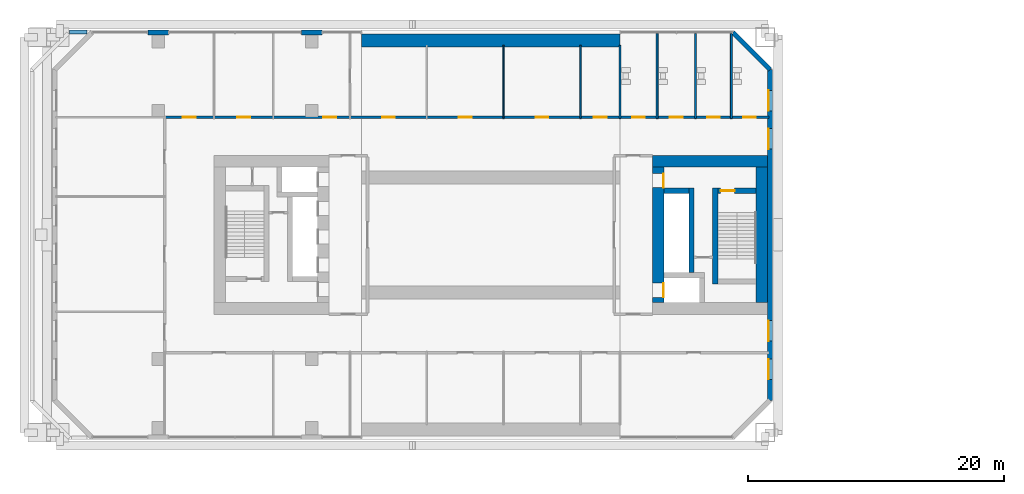
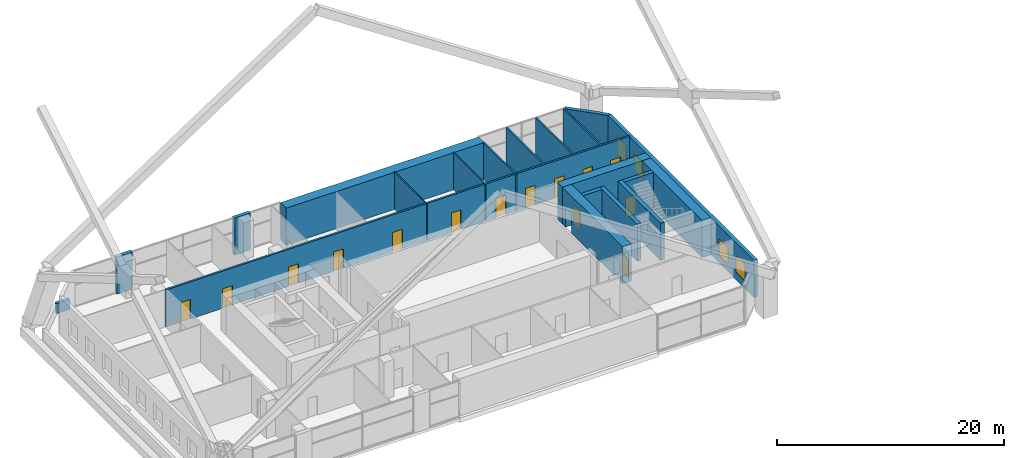
# One storey, part 19 of 25: 20 walls, 14 doors, 4 windows, 18 openings.
"""IFC4 building model written with IfcOpenShell, lengths in metres."""

import ifcopenshell
import ifcopenshell.guid

model = None  # the IFC model being written
_history = None  # IfcOwnerHistory: only IFC2X3 demands one
_inside = {}  # id of a spatial element -> (the spatial element, [elements in it])
_under = {}  # id of a project, library or spatial element -> (it, [spatial elements below it])
_declared = {}  # id of a project -> (the project, [libraries it declares])
_typed = {}  # id of a type object -> (the type object, [elements of that type])
_made_of = {}  # id of a material, layer set ... -> (it, [elements and type objects made of it])


def new_model(schema):
    """Start an empty IFC model of exactly this schema.

    Asked for "IFC4X3", IfcOpenShell would pick the latest addendum, in which some entities
    have other attributes; the version numbers below select the first issue.
    IFC2X3 requires an IfcOwnerHistory on every rooted entity: one is made here for all.
    """
    global model, _history
    if schema == "IFC4X3":
        model = ifcopenshell.file(schema_version=(4, 3, 0, 0))
    else:
        model = ifcopenshell.file(schema=schema)
    _inside.clear()
    _under.clear()
    _declared.clear()
    _typed.clear()
    _made_of.clear()
    _history = None
    if model.schema == "IFC2X3":
        org = make("IfcOrganization", Name="unknown")
        user = make(
            "IfcPersonAndOrganization",
            ThePerson=make("IfcPerson", FamilyName="unknown"),
            TheOrganization=org,
        )
        app = make(
            "IfcApplication",
            ApplicationDeveloper=org,
            Version="unknown",
            ApplicationFullName="unknown",
            ApplicationIdentifier="unknown",
        )
        _history = make(
            "IfcOwnerHistory",
            OwningUser=user,
            OwningApplication=app,
            ChangeAction="ADDED",
            CreationDate=0,
        )
    return model


def make(cls, **values):
    """One entity of the class cls with the attributes given. An attribute that is None is left unset."""
    return model.create_entity(
        cls, **{name: value for name, value in values.items() if value is not None}
    )


def rooted(cls, **values):
    """An entity with a GlobalId (a new one), such as an element, a storey or a relation."""
    return make(cls, GlobalId=ifcopenshell.guid.new(), OwnerHistory=_history, **values)


def si_unit(unit_type, name, prefix=None):
    """IfcSIUnit, for example si_unit("LENGTHUNIT", "METRE", prefix="MILLI")."""
    return make("IfcSIUnit", UnitType=unit_type, Prefix=prefix, Name=name)


def assignment(units):
    """IfcUnitAssignment: the units of a project."""
    return None if units is None else make("IfcUnitAssignment", Units=units)


def point(xyz):
    """IfcCartesianPoint."""
    return None if xyz is None else make("IfcCartesianPoint", Coordinates=xyz)


def direction(xyz):
    """IfcDirection."""
    return None if xyz is None else make("IfcDirection", DirectionRatios=xyz)


def frame(location, z_axis=None, x_axis=None):
    """IfcAxis2Placement3D, a coordinate frame: its origin and axes. An axis left out is left unset."""
    return make(
        "IfcAxis2Placement3D",
        Location=point(location),
        Axis=direction(z_axis),
        RefDirection=direction(x_axis),
    )


def frame_2d(location, x_axis=None):
    """IfcAxis2Placement2D, a coordinate frame in the plane: its origin and x axis."""
    return make(
        "IfcAxis2Placement2D", Location=point(location), RefDirection=direction(x_axis)
    )


def origin():
    """The frame at (0, 0, 0) with its axes left unset."""
    return frame((0.0, 0.0, 0.0))


def place(relative_to, where):
    """IfcLocalPlacement: puts the frame where relative to a parent placement (None: the world)."""
    return make(
        "IfcLocalPlacement", PlacementRelTo=relative_to, RelativePlacement=where
    )


def context(
    kind, dimensions, precision=None, world=None, true_north=None, identifier=None
):
    """IfcGeometricRepresentationContext, for example the 3D "Model" context."""
    return make(
        "IfcGeometricRepresentationContext",
        ContextIdentifier=identifier,
        ContextType=kind,
        CoordinateSpaceDimension=dimensions,
        Precision=precision,
        WorldCoordinateSystem=world,
        TrueNorth=true_north,
    )


def subcontext(parent, identifier, kind, view, scale=None):
    """IfcGeometricRepresentationSubContext, for example "Body" below "Model"."""
    return make(
        "IfcGeometricRepresentationSubContext",
        ContextIdentifier=identifier,
        ContextType=kind,
        ParentContext=parent,
        TargetScale=scale,
        TargetView=view,
    )


def project(units=None, contexts=None):
    """IfcProject with its units and contexts."""
    return rooted(
        "IfcProject",
        Name="project",
        RepresentationContexts=contexts,
        UnitsInContext=assignment(units),
    )


def spatial(cls, under=None, at=None, **own):
    """A site, building, storey or space (cls), placed at a placement, below another one or the project."""
    s = rooted(cls, ObjectPlacement=at, **own)
    if under is not None:
        _under.setdefault(under.id(), (under, []))[1].append(s)
    return s


def profile(cls, at=None, kind="AREA", **sizes):
    """A parametric profile (cls). Its sizes go by their IFC names, for example OverallWidth=200.0."""
    return make(cls, ProfileType=kind, Position=at, **sizes)


def rectangle(**sizes):
    """IfcRectangleProfileDef."""
    return profile("IfcRectangleProfileDef", **sizes)


def extrude(swept, where, along, depth):
    """IfcExtrudedAreaSolid: the profile swept, set in the frame where, extruded along a direction by depth."""
    return make(
        "IfcExtrudedAreaSolid",
        SweptArea=swept,
        Position=where,
        ExtrudedDirection=direction(along),
        Depth=depth,
    )


def shape(context_of_items, identifier, shape_type, items):
    """IfcShapeRepresentation: the items that make up one representation, for example the "Body"."""
    return make(
        "IfcShapeRepresentation",
        ContextOfItems=context_of_items,
        RepresentationIdentifier=identifier,
        RepresentationType=shape_type,
        Items=items,
    )


def material(Name=None, Category=None):
    """IfcMaterial."""
    return make("IfcMaterial", Name=Name, Category=Category)


def layer(
    of_material, thickness, ventilated=None, Name=None, Category=None, Priority=None
):
    """IfcMaterialLayer: one layer of a wall or slab, of a material (None: an air gap)."""
    return make(
        "IfcMaterialLayer",
        Material=of_material,
        LayerThickness=thickness,
        IsVentilated=ventilated,
        Name=Name,
        Category=Category,
        Priority=Priority,
    )


def layer_set(layers, Name=None):
    """IfcMaterialLayerSet."""
    return make("IfcMaterialLayerSet", MaterialLayers=layers, LayerSetName=Name)


def made_of(thing, what):
    """Note that an element or type object is made of a material, layer set ...; save() writes the relation."""
    if what is not None:
        _made_of.setdefault(what.id(), (what, []))[1].append(thing)
    return thing


def type_object(cls, material=None, **own):
    """A type object (cls), such as IfcWallType, which elements share."""
    return made_of(rooted(cls, **own), material)


def element(
    cls,
    number,
    at=None,
    inside=None,
    cuts=None,
    type_object=None,
    material=None,
    context=None,
    identifier="Body",
    shape_type=None,
    held_by="IfcProductDefinitionShape",
    body=None,
    shapes=None,
    **own,
):
    """One element of the class cls, such as IfcWall. Its Tag is "e" and its number.

    at: its placement. inside: the storey or other place that contains it. cuts: it is an
    opening in that element (IfcRelVoidsElement). A single representation is given by context,
    identifier, shape_type and body (its items); several are given by shapes. held_by: the class
    of the entity that holds the representations. save() writes the other relations.
    """
    e = rooted(cls, Tag="e%d" % number, ObjectPlacement=at, **own)
    if body is not None:
        shapes = [shape(context, identifier, shape_type, body)]
    if shapes is not None:
        e.Representation = make(held_by, Representations=shapes)
    if inside is not None:
        _inside.setdefault(inside.id(), (inside, []))[1].append(e)
    if cuts is not None:
        rooted(
            "IfcRelVoidsElement", RelatingBuildingElement=cuts, RelatedOpeningElement=e
        )
    if type_object is not None:
        _typed.setdefault(type_object.id(), (type_object, []))[1].append(e)
    return made_of(e, material)


def fill(opening, filler):
    """IfcRelFillsElement: the door or window that sits in an opening."""
    return rooted(
        "IfcRelFillsElement",
        RelatingOpeningElement=opening,
        RelatedBuildingElement=filler,
    )


def aggregate(whole, parts):
    """IfcRelAggregates: a whole, such as a stair, and the parts it consists of."""
    return rooted("IfcRelAggregates", RelatingObject=whole, RelatedObjects=parts)


def save(model, path):
    """Write the relations noted so far, then the file.

    IfcRelAggregates (storeys below a building ...), IfcRelContainedInSpatialStructure (elements
    in a storey), IfcRelDefinesByType, IfcRelAssociatesMaterial and IfcRelDeclares: one each for
    every whole, place, type object, material and project.
    """
    for whole, parts in _under.values():
        aggregate(whole, parts)
    for where, things in _inside.values():
        rooted(
            "IfcRelContainedInSpatialStructure",
            RelatedElements=things,
            RelatingStructure=where,
        )
    for kind, things in _typed.values():
        rooted("IfcRelDefinesByType", RelatedObjects=things, RelatingType=kind)
    for what, things in _made_of.values():
        rooted("IfcRelAssociatesMaterial", RelatedObjects=things, RelatingMaterial=what)
    for by, libraries in _declared.values():
        rooted("IfcRelDeclares", RelatingContext=by, RelatedDefinitions=libraries)
    model.write(path)


model = new_model("IFC4")

# Units and contexts
model_context = context("Model", 3, precision=1e-05, world=origin(), true_north=direction((0.0, 1.0)))
body_context = subcontext(model_context, "Body", "Model", "MODEL_VIEW")
ifc_project = project(units=[si_unit("LENGTHUNIT", "METRE"), si_unit("AREAUNIT", "SQUARE_METRE"), si_unit("VOLUMEUNIT", "CUBIC_METRE"), si_unit("PLANEANGLEUNIT", "RADIAN"), si_unit("MASSUNIT", "GRAM", prefix="KILO")], contexts=[model_context])

# Site, building, storey
site_placement = place(None, origin())
site = spatial("IfcSite", under=ifc_project, at=site_placement, CompositionType="ELEMENT")
building_placement = place(site_placement, origin())
building = spatial("IfcBuilding", under=site, at=building_placement, Name="Tuart Gate Housing", CompositionType="ELEMENT")
storey_placement = place(building_placement, frame((0.0, 0.0, 14.699951171875)))
storey = spatial("IfcBuildingStorey", under=building, at=storey_placement, Name="L03", CompositionType="ELEMENT", Elevation=14.699951171875)

# Walls
ifc_material_1 = material(Name="Gypsum board on steel studs", Category="steel")
ifc_layer_1 = layer(ifc_material_1, 0.14990234375)
ifc_layer_set_1 = layer_set([ifc_layer_1], Name="Bathroom wall 150")
wall_type_1 = type_object("IfcWallType", Name="Bathroom wall 150", PredefinedType="PLUMBINGWALL", material=ifc_layer_set_1)
wall_1_placement = place(storey_placement, frame((64.10009765625, 79.10009765625, 0.0), z_axis=(0.0, 0.0, 1.0), x_axis=(0.0, 1.0, 0.0)))
element("IfcWall", 1, at=wall_1_placement, inside=storey, type_object=wall_type_1, Name="Bathroom wall 150", PredefinedType="PLUMBINGWALL", context=body_context, shape_type="SweptSolid", body=[
    extrude(rectangle(XDim=5.719970703125, YDim=0.14990234375, at=frame_2d((2.85986328125, 0.0))), origin(), (0.0, 0.0, 1.0), 4.0),
])
for number, where, z_axis, x_axis, name in (
    (2, (67.0, 79.10009765625, 0.0), (0.0, 0.0, 1.0), (0.0, 1.0, 0.0), "Bathroom wall 150"),
    (3, (70.0, 79.10009765625, 0.0), (0.0, 0.0, 1.0), (0.0, 1.0, 0.0), "Bathroom wall 150"),
    (4, (72.800048828125, 79.10009765625, 0.0), (0.0, 0.0, 1.0), (0.0, 1.0, 0.0), "Bathroom wall 150"),
):
    element("IfcWall", number, at=place(storey_placement, frame(where, z_axis=z_axis, x_axis=x_axis)), inside=storey, type_object=wall_type_1, Name=name, PredefinedType="PLUMBINGWALL", context=body_context, shape_type="SweptSolid", body=[
        extrude(rectangle(XDim=6.659912109375, YDim=0.14990234375, at=frame_2d((3.330078125, 0.0))), origin(), (0.0, 0.0, 1.0), 4.0),
    ])
ifc_material_2 = material(Name="Brick", Category="masonry")
ifc_layer_2 = layer(ifc_material_2, 0.300048828125)
ifc_layer_set_2 = layer_set([ifc_layer_2], Name="Brick parapet wall 300")
wall_type_2 = type_object("IfcWallType", Name="Brick parapet wall 300", PredefinedType="PARAPET", material=ifc_layer_set_2)
wall_2_placement = place(storey_placement, frame((22.449951171875, 85.85009765625, 0.0), z_axis=(0.0, 0.0, 1.0), x_axis=(-1.0, 0.0, 0.0)))
element("IfcWall", 5, at=wall_2_placement, inside=storey, type_object=wall_type_2, Name="Roof parapet A 1", PredefinedType="PARAPET", context=body_context, shape_type="SweptSolid", body=[
    extrude(rectangle(XDim=1.387939453125, YDim=0.300048828125, at=frame_2d((0.69384765625, 0.0))), origin(), (0.0, 0.0, 1.0), 1.10009765625),
])

# Wall, openings, windows
ifc_material_3 = material(Name="Brick", Category="masonry")
ifc_layer_3 = layer(ifc_material_3, 0.360107421875)
ifc_layer_set_3 = layer_set([ifc_layer_3], Name="Brick pier and spandrel wall 360")
wall_type_3 = type_object("IfcWallType", Name="Brick pier and spandrel wall 360", PredefinedType="STANDARD", material=ifc_layer_set_3)
wall_3_placement = place(storey_placement, frame((75.820068359375, 57.07470703125, 0.0), z_axis=(0.0, 0.0, 1.0), x_axis=(0.0, 1.0, 0.0)))
wall_3 = element("IfcWall", 6, at=wall_3_placement, inside=storey, type_object=wall_type_3, Name="External wall A-E L03", PredefinedType="STANDARD", context=body_context, shape_type="SweptSolid", body=[
    extrude(rectangle(XDim=25.850830078125, YDim=0.360107421875, at=frame_2d((12.92529296875, 0.0))), origin(), (0.0, 0.0, 1.0), 4.0),
])
opening_1_placement = place(wall_3_placement, frame((1.62548828125, 0.0, 0.800048828125)))
opening_1 = element("IfcOpeningElement", 7, at=opening_1_placement, cuts=wall_3, Name="Opening W1", PredefinedType="OPENING", context=body_context, shape_type="SweptSolid", body=[
    extrude(rectangle(XDim=1.60009765625, YDim=1.800048828125, at=frame_2d((0.800048828125, 0.89990234375))), frame((0.0, 0.18994140625, 0.0), z_axis=(0.0, -1.0, 0.0), x_axis=(1.0, 0.0, 0.0)), (0.0, 0.0, 1.0), 0.380126953125),
])
opening_2_placement = place(wall_3_placement, frame((4.62548828125, 0.0, 0.800048828125)))
opening_2 = element("IfcOpeningElement", 8, at=opening_2_placement, cuts=wall_3, Name="Opening W1", PredefinedType="OPENING", context=body_context, shape_type="SweptSolid", body=[
    extrude(rectangle(XDim=1.60009765625, YDim=1.800048828125, at=frame_2d((0.800048828125, 0.89990234375))), frame((0.0, 0.18994140625, 0.0), z_axis=(0.0, -1.0, 0.0), x_axis=(1.0, 0.0, 0.0)), (0.0, 0.0, 1.0), 0.380126953125),
])
opening_3_placement = place(wall_3_placement, frame((19.62548828125, 0.0, 0.800048828125)))
opening_3 = element("IfcOpeningElement", 9, at=opening_3_placement, cuts=wall_3, Name="Opening W1", PredefinedType="OPENING", context=body_context, shape_type="SweptSolid", body=[
    extrude(rectangle(XDim=1.60009765625, YDim=1.800048828125, at=frame_2d((0.800048828125, 0.89990234375))), frame((0.0, 0.18994140625, 0.0), z_axis=(0.0, -1.0, 0.0), x_axis=(1.0, 0.0, 0.0)), (0.0, 0.0, 1.0), 0.380126953125),
])
opening_4_placement = place(wall_3_placement, frame((22.62548828125, 0.0, 0.800048828125)))
opening_4 = element("IfcOpeningElement", 10, at=opening_4_placement, cuts=wall_3, Name="Opening W1", PredefinedType="OPENING", context=body_context, shape_type="SweptSolid", body=[
    extrude(rectangle(XDim=1.60009765625, YDim=1.800048828125, at=frame_2d((0.800048828125, 0.89990234375))), frame((0.0, 0.18994140625, 0.0), z_axis=(0.0, -1.0, 0.0), x_axis=(1.0, 0.0, 0.0)), (0.0, 0.0, 1.0), 0.380126953125),
])
ifc_material_4 = material(Name="Aluminium frame with clear glass", Category="aluminium")
window_type = type_object("IfcWindowType", Name="Punched window 1600 x 1800", PartitioningType="SINGLE_PANEL", PredefinedType="WINDOW", material=ifc_material_4)
window_1_placement = place(opening_1_placement, origin())
window_1 = element("IfcWindow", 11, at=window_1_placement, inside=storey, type_object=window_type, Name="Window W1", OverallHeight=1.800048828125, OverallWidth=1.60009765625, PartitioningType="SINGLE_PANEL", PredefinedType="WINDOW", context=body_context, shape_type="SweptSolid", body=[
    extrude(rectangle(XDim=1.60009765625, YDim=1.800048828125, at=frame_2d((0.800048828125, 0.89990234375))), frame((0.0, 0.150146484375, 0.0), z_axis=(0.0, -1.0, 0.0), x_axis=(1.0, 0.0, 0.0)), (0.0, 0.0, 1.0), 0.06005859375),
])
fill(opening_1, window_1)
window_2_placement = place(opening_2_placement, origin())
window_2 = element("IfcWindow", 12, at=window_2_placement, inside=storey, type_object=window_type, Name="Window W1", OverallHeight=1.800048828125, OverallWidth=1.60009765625, PartitioningType="SINGLE_PANEL", PredefinedType="WINDOW", context=body_context, shape_type="SweptSolid", body=[
    extrude(rectangle(XDim=1.60009765625, YDim=1.800048828125, at=frame_2d((0.800048828125, 0.89990234375))), frame((0.0, 0.150146484375, 0.0), z_axis=(0.0, -1.0, 0.0), x_axis=(1.0, 0.0, 0.0)), (0.0, 0.0, 1.0), 0.06005859375),
])
fill(opening_2, window_2)
window_3_placement = place(opening_3_placement, origin())
window_3 = element("IfcWindow", 13, at=window_3_placement, inside=storey, type_object=window_type, Name="Window W1", OverallHeight=1.800048828125, OverallWidth=1.60009765625, PartitioningType="SINGLE_PANEL", PredefinedType="WINDOW", context=body_context, shape_type="SweptSolid", body=[
    extrude(rectangle(XDim=1.60009765625, YDim=1.800048828125, at=frame_2d((0.800048828125, 0.89990234375))), frame((0.0, 0.150146484375, 0.0), z_axis=(0.0, -1.0, 0.0), x_axis=(1.0, 0.0, 0.0)), (0.0, 0.0, 1.0), 0.06005859375),
])
fill(opening_3, window_3)
window_4_placement = place(opening_4_placement, origin())
window_4 = element("IfcWindow", 14, at=window_4_placement, inside=storey, type_object=window_type, Name="Window W1", OverallHeight=1.800048828125, OverallWidth=1.60009765625, PartitioningType="SINGLE_PANEL", PredefinedType="WINDOW", context=body_context, shape_type="SweptSolid", body=[
    extrude(rectangle(XDim=1.60009765625, YDim=1.800048828125, at=frame_2d((0.800048828125, 0.89990234375))), frame((0.0, 0.150146484375, 0.0), z_axis=(0.0, -1.0, 0.0), x_axis=(1.0, 0.0, 0.0)), (0.0, 0.0, 1.0), 0.06005859375),
])
fill(opening_4, window_4)

# Walls
wall_4_placement = place(storey_placement, frame((75.820068359375, 82.92529296875, 0.0), z_axis=(0.0, 0.0, 1.0), x_axis=(-0.707106781187, 0.707106781187, 0.0)))
element("IfcWall", 15, at=wall_4_placement, inside=storey, type_object=wall_type_3, Name="External wall A-NE L03", PredefinedType="STANDARD", context=body_context, shape_type="SweptSolid", body=[
    extrude(rectangle(XDim=4.09375, YDim=0.360107421875, at=frame_2d((2.046875, 0.0))), origin(), (0.0, 0.0, 1.0), 4.0),
])
for number, where, z_axis, x_axis, name in (
    (16, (40.800048828125, 85.820068359375, 0.0), (0.0, 0.0, 1.0), (-1.0, 0.0, 0.0), "External wall A-N L03"),
    (17, (28.800048828125, 85.820068359375, 0.0), (0.0, 0.0, 1.0), (-1.0, 0.0, 0.0), "External wall A-N L03"),
):
    element("IfcWall", number, at=place(storey_placement, frame(where, z_axis=z_axis, x_axis=x_axis)), inside=storey, type_object=wall_type_3, Name=name, PredefinedType="STANDARD", context=body_context, shape_type="SweptSolid", body=[
        extrude(rectangle(XDim=1.60009765625, YDim=0.360107421875, at=frame_2d((0.800048828125, 0.0))), origin(), (0.0, 0.0, 1.0), 4.0),
    ])
ifc_material_5 = material(Name="Concrete C60", Category="concrete")
ifc_layer_4 = layer(ifc_material_5, 0.39990234375)
ifc_layer_set_4 = layer_set([ifc_layer_4], Name="Core wall 400 C60")
wall_type_4 = type_object("IfcWallType", Name="Core wall 400 C60", PredefinedType="SHEAR", material=ifc_layer_set_4)
wall_5_placement = place(storey_placement, frame((67.5400390625, 73.449951171875, 0.0), z_axis=(0.0, 0.0, 1.0), x_axis=(1.0, 0.0, 0.0)))
element("IfcWall", 18, at=wall_5_placement, inside=storey, type_object=wall_type_4, Name="Core wall AG.4", PredefinedType="SHEAR", context=body_context, shape_type="SweptSolid", body=[
    extrude(rectangle(XDim=1.949951171875, YDim=0.39990234375, at=frame_2d((0.97509765625, 0.0))), origin(), (0.0, 0.0, 1.0), 4.0),
])

# Wall, opening, door
wall_6_placement = place(storey_placement, frame((71.739990234375, 73.449951171875, 0.0), z_axis=(0.0, 0.0, 1.0), x_axis=(1.0, 0.0, 0.0)))
wall_6 = element("IfcWall", 19, at=wall_6_placement, inside=storey, type_object=wall_type_4, Name="Core wall AG.5", PredefinedType="SHEAR", context=body_context, shape_type="SweptSolid", body=[
    extrude(rectangle(XDim=3.0, YDim=0.39990234375, at=frame_2d((1.5, 0.0))), origin(), (0.0, 0.0, 1.0), 4.0),
])
opening_5_placement = place(wall_6_placement, frame((0.219970703125, 0.0, 0.0)))
opening_5 = element("IfcOpeningElement", 20, at=opening_5_placement, cuts=wall_6, Name="Opening D016", PredefinedType="OPENING", context=body_context, shape_type="SweptSolid", body=[
    extrude(rectangle(XDim=1.10009765625, YDim=2.10009765625, at=frame_2d((0.550048828125, 1.050048828125))), frame((0.0, 0.2099609375, 0.0), z_axis=(0.0, -1.0, 0.0), x_axis=(1.0, 0.0, 0.0)), (0.0, 0.0, 1.0), 0.419921875),
])
ifc_material_6 = material(Name="Steel fire door", Category="steel")
door_type_1 = type_object("IfcDoorType", Name="Stair door 1100 x 2100 RH", OperationType="SINGLE_SWING_RIGHT", PredefinedType="DOOR", material=ifc_material_6)
door_1_placement = place(opening_5_placement, frame((1.10009765625, 0.0, 0.0), z_axis=(0.0, 0.0, 1.0), x_axis=(-1.0, 0.0, 0.0)))
door_1 = element("IfcDoor", 21, at=door_1_placement, inside=storey, type_object=door_type_1, Name="Stair door AG.SD", OperationType="SINGLE_SWING_RIGHT", OverallHeight=2.10009765625, OverallWidth=1.10009765625, PredefinedType="DOOR", context=body_context, shape_type="SweptSolid", body=[
    extrude(rectangle(XDim=1.10009765625, YDim=2.10009765625, at=frame_2d((0.550048828125, 1.050048828125))), frame((0.0, 0.025146484375, 0.0), z_axis=(0.0, -1.0, 0.0), x_axis=(1.0, 0.0, 0.0)), (0.0, 0.0, 1.0), 0.050048828125),
])
fill(opening_5, door_1)

# Walls
wall_7_placement = place(storey_placement, frame((69.68994140625, 67.050048828125, 0.0), z_axis=(0.0, 0.0, 1.0), x_axis=(0.0, 1.0, 0.0)))
element("IfcWall", 22, at=wall_7_placement, inside=storey, type_object=wall_type_4, Name="Core wall AG.6", PredefinedType="SHEAR", context=body_context, shape_type="SweptSolid", body=[
    extrude(rectangle(XDim=6.599853515625, YDim=0.39990234375, at=frame_2d((3.2998046875, 0.0))), origin(), (0.0, 0.0, 1.0), 4.0),
])
wall_8_placement = place(storey_placement, frame((71.5400390625, 66.14990234375, 0.0), z_axis=(0.0, 0.0, 1.0), x_axis=(0.0, 1.0, 0.0)))
element("IfcWall", 23, at=wall_8_placement, inside=storey, type_object=wall_type_4, Name="Core wall AG.8", PredefinedType="SHEAR", context=body_context, shape_type="SweptSolid", body=[
    extrude(rectangle(XDim=7.5, YDim=0.39990234375, at=frame_2d((3.75, 0.0))), origin(), (0.0, 0.0, 1.0), 4.0),
])

# Wall, openings, doors
ifc_material_7 = material(Name="Concrete C60", Category="concrete")
ifc_layer_5 = layer(ifc_material_7, 0.89990234375)
ifc_layer_set_5 = layer_set([ifc_layer_5], Name="Core wall 900 C60")
wall_type_5 = type_object("IfcWallType", Name="Core wall 900 C60", PredefinedType="SHEAR", material=ifc_layer_set_5)
wall_9_placement = place(storey_placement, frame((67.090087890625, 64.699951171875, 0.0), z_axis=(0.0, 0.0, 1.0), x_axis=(0.0, 1.0, 0.0)))
wall_9 = element("IfcWall", 24, at=wall_9_placement, inside=storey, type_object=wall_type_5, Name="Core wall AG front", PredefinedType="SHEAR", context=body_context, shape_type="SweptSolid", body=[
    extrude(rectangle(XDim=10.60009765625, YDim=0.89990234375, at=frame_2d((5.300048828125, 0.0))), origin(), (0.0, 0.0, 1.0), 4.0),
])
opening_6_placement = place(wall_9_placement, frame((0.425048828125, 0.0, 0.0)))
opening_6 = element("IfcOpeningElement", 25, at=opening_6_placement, cuts=wall_9, Name="Opening LD-FA1", PredefinedType="OPENING", context=body_context, shape_type="SweptSolid", body=[
    extrude(rectangle(XDim=1.10009765625, YDim=2.10009765625, at=frame_2d((0.550048828125, 1.050048828125))), frame((0.0, 0.4599609375, 0.0), z_axis=(0.0, -1.0, 0.0), x_axis=(1.0, 0.0, 0.0)), (0.0, 0.0, 1.0), 0.919921875),
])
opening_7_placement = place(wall_9_placement, frame((9.0, 0.0, 0.0)))
opening_7 = element("IfcOpeningElement", 26, at=opening_7_placement, cuts=wall_9, Name="Opening D024", PredefinedType="OPENING", context=body_context, shape_type="SweptSolid", body=[
    extrude(rectangle(XDim=1.10009765625, YDim=2.10009765625, at=frame_2d((0.550048828125, 1.050048828125))), frame((0.0, 0.4599609375, 0.0), z_axis=(0.0, -1.0, 0.0), x_axis=(1.0, 0.0, 0.0)), (0.0, 0.0, 1.0), 0.919921875),
])
ifc_material_8 = material(Name="Stainless steel", Category="steel")
door_type_2 = type_object("IfcDoorType", Name="Landing door 1100 x 2100", OperationType="DOUBLE_DOOR_SLIDING", PredefinedType="DOOR", material=ifc_material_8)
door_2_placement = place(opening_6_placement, origin())
door_2 = element("IfcDoor", 27, at=door_2_placement, inside=storey, type_object=door_type_2, Name="Lift landing door FA1", OperationType="DOUBLE_DOOR_SLIDING", OverallHeight=2.10009765625, OverallWidth=1.10009765625, PredefinedType="DOOR", context=body_context, shape_type="SweptSolid", body=[
    extrude(rectangle(XDim=1.10009765625, YDim=2.10009765625, at=frame_2d((0.550048828125, 1.050048828125))), frame((0.0, -0.384765625, 0.0), z_axis=(0.0, -1.0, 0.0), x_axis=(1.0, 0.0, 0.0)), (0.0, 0.0, 1.0), 0.050048828125),
])
fill(opening_6, door_2)
ifc_material_9 = material(Name="Steel fire door", Category="steel")
door_type_3 = type_object("IfcDoorType", Name="Lobby door 1100 x 2100 RH", OperationType="SINGLE_SWING_RIGHT", PredefinedType="DOOR", material=ifc_material_9)
door_3_placement = place(opening_7_placement, frame((1.10009765625, 0.0, 0.0), z_axis=(0.0, 0.0, 1.0), x_axis=(-1.0, 0.0, 0.0)))
door_3 = element("IfcDoor", 28, at=door_3_placement, inside=storey, type_object=door_type_3, Name="Lobby entry door AG.EN", OperationType="SINGLE_SWING_RIGHT", OverallHeight=2.10009765625, OverallWidth=1.10009765625, PredefinedType="DOOR", context=body_context, shape_type="SweptSolid", body=[
    extrude(rectangle(XDim=1.10009765625, YDim=2.10009765625, at=frame_2d((0.550048828125, 1.050048828125))), frame((0.0, 0.434814453125, 0.0), z_axis=(0.0, -1.0, 0.0), x_axis=(1.0, 0.0, 0.0)), (0.0, 0.0, 1.0), 0.050048828125),
])
fill(opening_7, door_3)

# Walls
wall_10_placement = place(storey_placement, frame((75.18994140625, 64.699951171875, 0.0), z_axis=(0.0, 0.0, 1.0), x_axis=(0.0, 1.0, 0.0)))
element("IfcWall", 29, at=wall_10_placement, inside=storey, type_object=wall_type_5, Name="Core wall AG back", PredefinedType="SHEAR", context=body_context, shape_type="SweptSolid", body=[
    extrude(rectangle(XDim=10.60009765625, YDim=0.89990234375, at=frame_2d((5.300048828125, 0.0))), origin(), (0.0, 0.0, 1.0), 4.0),
])
wall_11_placement = place(storey_placement, frame((66.639892578125, 75.75, 0.0), z_axis=(0.0, 0.0, 1.0), x_axis=(1.0, 0.0, 0.0)))
element("IfcWall", 30, at=wall_11_placement, inside=storey, type_object=wall_type_5, Name="Core wall AG north", PredefinedType="SHEAR", context=body_context, shape_type="SweptSolid", body=[
    extrude(rectangle(XDim=9.0, YDim=0.89990234375, at=frame_2d((4.5, 0.0))), origin(), (0.0, 0.0, 1.0), 4.0),
])

# Wall, openings, doors
ifc_material_10 = material(Name="Concrete masonry 15 MPa", Category="masonry")
ifc_layer_6 = layer(ifc_material_10, 0.199951171875)
ifc_layer_set_6 = layer_set([ifc_layer_6], Name="Corridor wall masonry 200")
wall_type_6 = type_object("IfcWallType", Name="Corridor wall masonry 200", PredefinedType="PARTITIONING", material=ifc_layer_set_6)
wall_12_placement = place(storey_placement, frame((28.39794921875, 79.199951171875, 0.0), z_axis=(0.0, 0.0, 1.0), x_axis=(1.0, 0.0, 0.0)))
wall_12 = element("IfcWall", 31, at=wall_12_placement, inside=storey, type_object=wall_type_6, Name="Corridor wall masonry 200", PredefinedType="PARTITIONING", context=body_context, shape_type="SweptSolid", body=[
    extrude(rectangle(XDim=47.362060546875, YDim=0.199951171875, at=frame_2d((23.68115234375, 0.0))), origin(), (0.0, 0.0, 1.0), 4.0),
])
opening_8_placement = place(wall_12_placement, frame((1.531005859375, 0.0, 0.0)))
opening_8 = element("IfcOpeningElement", 32, at=opening_8_placement, cuts=wall_12, Name="Opening D002", PredefinedType="OPENING", context=body_context, shape_type="SweptSolid", body=[
    extrude(rectangle(XDim=1.0, YDim=2.10009765625, at=frame_2d((0.5, 1.050048828125))), frame((0.0, 0.10986328125, 0.0), z_axis=(0.0, -1.0, 0.0), x_axis=(1.0, 0.0, 0.0)), (0.0, 0.0, 1.0), 0.219970703125),
])
opening_9_placement = place(wall_12_placement, frame((5.781982421875, 0.0, 0.0)))
opening_9 = element("IfcOpeningElement", 33, at=opening_9_placement, cuts=wall_12, Name="Opening D003", PredefinedType="OPENING", context=body_context, shape_type="SweptSolid", body=[
    extrude(rectangle(XDim=1.0, YDim=2.10009765625, at=frame_2d((0.5, 1.050048828125))), frame((0.0, 0.10986328125, 0.0), z_axis=(0.0, -1.0, 0.0), x_axis=(1.0, 0.0, 0.0)), (0.0, 0.0, 1.0), 0.219970703125),
])
opening_10_placement = place(wall_12_placement, frame((12.501953125, 0.0, 0.0)))
opening_10 = element("IfcOpeningElement", 34, at=opening_10_placement, cuts=wall_12, Name="Opening D004", PredefinedType="OPENING", context=body_context, shape_type="SweptSolid", body=[
    extrude(rectangle(XDim=1.0, YDim=2.10009765625, at=frame_2d((0.5, 1.050048828125))), frame((0.0, 0.10986328125, 0.0), z_axis=(0.0, -1.0, 0.0), x_axis=(1.0, 0.0, 0.0)), (0.0, 0.0, 1.0), 0.219970703125),
])
opening_11_placement = place(wall_12_placement, frame((17.10205078125, 0.0, 0.0)))
opening_11 = element("IfcOpeningElement", 35, at=opening_11_placement, cuts=wall_12, Name="Opening D012", PredefinedType="OPENING", context=body_context, shape_type="SweptSolid", body=[
    extrude(rectangle(XDim=1.0, YDim=2.10009765625, at=frame_2d((0.5, 1.050048828125))), frame((0.0, 0.10986328125, 0.0), z_axis=(0.0, -1.0, 0.0), x_axis=(1.0, 0.0, 0.0)), (0.0, 0.0, 1.0), 0.219970703125),
])
opening_12_placement = place(wall_12_placement, frame((23.10205078125, 0.0, 0.0)))
opening_12 = element("IfcOpeningElement", 36, at=opening_12_placement, cuts=wall_12, Name="Opening D005", PredefinedType="OPENING", context=body_context, shape_type="SweptSolid", body=[
    extrude(rectangle(XDim=1.0, YDim=2.10009765625, at=frame_2d((0.5, 1.050048828125))), frame((0.0, 0.10986328125, 0.0), z_axis=(0.0, -1.0, 0.0), x_axis=(1.0, 0.0, 0.0)), (0.0, 0.0, 1.0), 0.219970703125),
])
opening_13_placement = place(wall_12_placement, frame((29.10205078125, 0.0, 0.0)))
opening_13 = element("IfcOpeningElement", 37, at=opening_13_placement, cuts=wall_12, Name="Opening D006", PredefinedType="OPENING", context=body_context, shape_type="SweptSolid", body=[
    extrude(rectangle(XDim=1.0, YDim=2.10009765625, at=frame_2d((0.5, 1.050048828125))), frame((0.0, 0.10986328125, 0.0), z_axis=(0.0, -1.0, 0.0), x_axis=(1.0, 0.0, 0.0)), (0.0, 0.0, 1.0), 0.219970703125),
])
opening_14_placement = place(wall_12_placement, frame((33.652099609375, 0.0, 0.0)))
opening_14 = element("IfcOpeningElement", 38, at=opening_14_placement, cuts=wall_12, Name="Opening D007", PredefinedType="OPENING", context=body_context, shape_type="SweptSolid", body=[
    extrude(rectangle(XDim=1.0, YDim=2.10009765625, at=frame_2d((0.5, 1.050048828125))), frame((0.0, 0.10986328125, 0.0), z_axis=(0.0, -1.0, 0.0), x_axis=(1.0, 0.0, 0.0)), (0.0, 0.0, 1.0), 0.219970703125),
])
opening_15_placement = place(wall_12_placement, frame((36.652099609375, 0.0, 0.0)))
opening_15 = element("IfcOpeningElement", 39, at=opening_15_placement, cuts=wall_12, Name="Opening D008", PredefinedType="OPENING", context=body_context, shape_type="SweptSolid", body=[
    extrude(rectangle(XDim=1.0, YDim=2.10009765625, at=frame_2d((0.5, 1.050048828125))), frame((0.0, 0.10986328125, 0.0), z_axis=(0.0, -1.0, 0.0), x_axis=(1.0, 0.0, 0.0)), (0.0, 0.0, 1.0), 0.219970703125),
])
opening_16_placement = place(wall_12_placement, frame((39.60205078125, 0.0, 0.0)))
opening_16 = element("IfcOpeningElement", 40, at=opening_16_placement, cuts=wall_12, Name="Opening D009", PredefinedType="OPENING", context=body_context, shape_type="SweptSolid", body=[
    extrude(rectangle(XDim=1.0, YDim=2.10009765625, at=frame_2d((0.5, 1.050048828125))), frame((0.0, 0.10986328125, 0.0), z_axis=(0.0, -1.0, 0.0), x_axis=(1.0, 0.0, 0.0)), (0.0, 0.0, 1.0), 0.219970703125),
])
opening_17_placement = place(wall_12_placement, frame((42.501953125, 0.0, 0.0)))
opening_17 = element("IfcOpeningElement", 41, at=opening_17_placement, cuts=wall_12, Name="Opening D010", PredefinedType="OPENING", context=body_context, shape_type="SweptSolid", body=[
    extrude(rectangle(XDim=1.0, YDim=2.10009765625, at=frame_2d((0.5, 1.050048828125))), frame((0.0, 0.10986328125, 0.0), z_axis=(0.0, -1.0, 0.0), x_axis=(1.0, 0.0, 0.0)), (0.0, 0.0, 1.0), 0.219970703125),
])
opening_18_placement = place(wall_12_placement, frame((45.322021484375, 0.0, 0.0)))
opening_18 = element("IfcOpeningElement", 42, at=opening_18_placement, cuts=wall_12, Name="Opening D011", PredefinedType="OPENING", context=body_context, shape_type="SweptSolid", body=[
    extrude(rectangle(XDim=1.0, YDim=2.10009765625, at=frame_2d((0.5, 1.050048828125))), frame((0.0, 0.10986328125, 0.0), z_axis=(0.0, -1.0, 0.0), x_axis=(1.0, 0.0, 0.0)), (0.0, 0.0, 1.0), 0.219970703125),
])
ifc_material_11 = material(Name="Timber door leaf in steel frame", Category="steel")
door_type_4 = type_object("IfcDoorType", Name="Fire door 1000", OperationType="SINGLE_SWING_LEFT", PredefinedType="DOOR", material=ifc_material_11)
door_4_placement = place(opening_9_placement, origin())
door_4 = element("IfcDoor", 43, at=door_4_placement, inside=storey, type_object=door_type_4, Name="Fire door 1000", OperationType="SINGLE_SWING_LEFT", OverallHeight=2.10009765625, OverallWidth=1.0, PredefinedType="DOOR", context=body_context, shape_type="SweptSolid", body=[
    extrude(rectangle(XDim=1.0, YDim=2.10009765625, at=frame_2d((0.5, 1.050048828125))), frame((0.0, 0.02490234375, 0.0), z_axis=(0.0, -1.0, 0.0), x_axis=(1.0, 0.0, 0.0)), (0.0, 0.0, 1.0), 0.050048828125),
])
fill(opening_9, door_4)
door_5_placement = place(opening_11_placement, origin())
door_5 = element("IfcDoor", 44, at=door_5_placement, inside=storey, type_object=door_type_4, Name="Fire door 1000", OperationType="SINGLE_SWING_LEFT", OverallHeight=2.10009765625, OverallWidth=1.0, PredefinedType="DOOR", context=body_context, shape_type="SweptSolid", body=[
    extrude(rectangle(XDim=1.0, YDim=2.10009765625, at=frame_2d((0.5, 1.050048828125))), frame((0.0, 0.02490234375, 0.0), z_axis=(0.0, -1.0, 0.0), x_axis=(1.0, 0.0, 0.0)), (0.0, 0.0, 1.0), 0.050048828125),
])
fill(opening_11, door_5)
door_6_placement = place(opening_12_placement, origin())
door_6 = element("IfcDoor", 45, at=door_6_placement, inside=storey, type_object=door_type_4, Name="Fire door 1000", OperationType="SINGLE_SWING_LEFT", OverallHeight=2.10009765625, OverallWidth=1.0, PredefinedType="DOOR", context=body_context, shape_type="SweptSolid", body=[
    extrude(rectangle(XDim=1.0, YDim=2.10009765625, at=frame_2d((0.5, 1.050048828125))), frame((0.0, 0.02490234375, 0.0), z_axis=(0.0, -1.0, 0.0), x_axis=(1.0, 0.0, 0.0)), (0.0, 0.0, 1.0), 0.050048828125),
])
fill(opening_12, door_6)
door_7_placement = place(opening_13_placement, origin())
door_7 = element("IfcDoor", 46, at=door_7_placement, inside=storey, type_object=door_type_4, Name="Fire door 1000", OperationType="SINGLE_SWING_LEFT", OverallHeight=2.10009765625, OverallWidth=1.0, PredefinedType="DOOR", context=body_context, shape_type="SweptSolid", body=[
    extrude(rectangle(XDim=1.0, YDim=2.10009765625, at=frame_2d((0.5, 1.050048828125))), frame((0.0, 0.02490234375, 0.0), z_axis=(0.0, -1.0, 0.0), x_axis=(1.0, 0.0, 0.0)), (0.0, 0.0, 1.0), 0.050048828125),
])
fill(opening_13, door_7)
door_8_placement = place(opening_14_placement, origin())
door_8 = element("IfcDoor", 47, at=door_8_placement, inside=storey, type_object=door_type_4, Name="Fire door 1000", OperationType="SINGLE_SWING_LEFT", OverallHeight=2.10009765625, OverallWidth=1.0, PredefinedType="DOOR", context=body_context, shape_type="SweptSolid", body=[
    extrude(rectangle(XDim=1.0, YDim=2.10009765625, at=frame_2d((0.5, 1.050048828125))), frame((0.0, 0.02490234375, 0.0), z_axis=(0.0, -1.0, 0.0), x_axis=(1.0, 0.0, 0.0)), (0.0, 0.0, 1.0), 0.050048828125),
])
fill(opening_14, door_8)
door_9_placement = place(opening_15_placement, origin())
door_9 = element("IfcDoor", 48, at=door_9_placement, inside=storey, type_object=door_type_4, Name="Fire door 1000", OperationType="SINGLE_SWING_LEFT", OverallHeight=2.10009765625, OverallWidth=1.0, PredefinedType="DOOR", context=body_context, shape_type="SweptSolid", body=[
    extrude(rectangle(XDim=1.0, YDim=2.10009765625, at=frame_2d((0.5, 1.050048828125))), frame((0.0, 0.02490234375, 0.0), z_axis=(0.0, -1.0, 0.0), x_axis=(1.0, 0.0, 0.0)), (0.0, 0.0, 1.0), 0.050048828125),
])
fill(opening_15, door_9)
door_10_placement = place(opening_16_placement, origin())
door_10 = element("IfcDoor", 49, at=door_10_placement, inside=storey, type_object=door_type_4, Name="Fire door 1000", OperationType="SINGLE_SWING_LEFT", OverallHeight=2.10009765625, OverallWidth=1.0, PredefinedType="DOOR", context=body_context, shape_type="SweptSolid", body=[
    extrude(rectangle(XDim=1.0, YDim=2.10009765625, at=frame_2d((0.5, 1.050048828125))), frame((0.0, 0.02490234375, 0.0), z_axis=(0.0, -1.0, 0.0), x_axis=(1.0, 0.0, 0.0)), (0.0, 0.0, 1.0), 0.050048828125),
])
fill(opening_16, door_10)
door_11_placement = place(opening_17_placement, origin())
door_11 = element("IfcDoor", 50, at=door_11_placement, inside=storey, type_object=door_type_4, Name="Fire door 1000", OperationType="SINGLE_SWING_LEFT", OverallHeight=2.10009765625, OverallWidth=1.0, PredefinedType="DOOR", context=body_context, shape_type="SweptSolid", body=[
    extrude(rectangle(XDim=1.0, YDim=2.10009765625, at=frame_2d((0.5, 1.050048828125))), frame((0.0, 0.02490234375, 0.0), z_axis=(0.0, -1.0, 0.0), x_axis=(1.0, 0.0, 0.0)), (0.0, 0.0, 1.0), 0.050048828125),
])
fill(opening_17, door_11)
door_12_placement = place(opening_18_placement, origin())
door_12 = element("IfcDoor", 51, at=door_12_placement, inside=storey, type_object=door_type_4, Name="Fire door 1000", OperationType="SINGLE_SWING_LEFT", OverallHeight=2.10009765625, OverallWidth=1.0, PredefinedType="DOOR", context=body_context, shape_type="SweptSolid", body=[
    extrude(rectangle(XDim=1.0, YDim=2.10009765625, at=frame_2d((0.5, 1.050048828125))), frame((0.0, 0.02490234375, 0.0), z_axis=(0.0, -1.0, 0.0), x_axis=(1.0, 0.0, 0.0)), (0.0, 0.0, 1.0), 0.050048828125),
])
fill(opening_18, door_12)
ifc_material_12 = material(Name="Timber door leaf in steel frame", Category="steel")
door_type_5 = type_object("IfcDoorType", Name="Fire door 1000 RH", OperationType="SINGLE_SWING_RIGHT", PredefinedType="DOOR", material=ifc_material_12)
door_13_placement = place(opening_8_placement, origin())
door_13 = element("IfcDoor", 52, at=door_13_placement, inside=storey, type_object=door_type_5, Name="Fire door 1000", OperationType="SINGLE_SWING_RIGHT", OverallHeight=2.10009765625, OverallWidth=1.0, PredefinedType="DOOR", context=body_context, shape_type="SweptSolid", body=[
    extrude(rectangle(XDim=1.0, YDim=2.10009765625, at=frame_2d((0.5, 1.050048828125))), frame((0.0, 0.02490234375, 0.0), z_axis=(0.0, -1.0, 0.0), x_axis=(1.0, 0.0, 0.0)), (0.0, 0.0, 1.0), 0.050048828125),
])
fill(opening_8, door_13)
door_14_placement = place(opening_10_placement, origin())
door_14 = element("IfcDoor", 53, at=door_14_placement, inside=storey, type_object=door_type_5, Name="Fire door 1000", OperationType="SINGLE_SWING_RIGHT", OverallHeight=2.10009765625, OverallWidth=1.0, PredefinedType="DOOR", context=body_context, shape_type="SweptSolid", body=[
    extrude(rectangle(XDim=1.0, YDim=2.10009765625, at=frame_2d((0.5, 1.050048828125))), frame((0.0, 0.02490234375, 0.0), z_axis=(0.0, -1.0, 0.0), x_axis=(1.0, 0.0, 0.0)), (0.0, 0.0, 1.0), 0.050048828125),
])
fill(opening_10, door_14)

# Walls
ifc_material_13 = material(Name="Gypsum board on steel studs", Category="steel")
ifc_layer_7 = layer(ifc_material_13, 0.10009765625)
ifc_layer_set_7 = layer_set([ifc_layer_7], Name="Partition 100")
wall_type_7 = type_object("IfcWallType", Name="Partition 100", PredefinedType="PARTITIONING", material=ifc_layer_set_7)
for number, where, z_axis, x_axis, name in (
    (54, (55.0, 79.10009765625, 0.0), (0.0, 0.0, 1.0), (0.0, 1.0, 0.0), "Partition 100"),
    (55, (61.0, 79.10009765625, 0.0), (0.0, 0.0, 1.0), (0.0, 1.0, 0.0), "Partition 100"),
):
    element("IfcWall", number, at=place(storey_placement, frame(where, z_axis=z_axis, x_axis=x_axis)), inside=storey, type_object=wall_type_7, Name=name, PredefinedType="PARTITIONING", context=body_context, shape_type="SweptSolid", body=[
        extrude(rectangle(XDim=5.719970703125, YDim=0.10009765625, at=frame_2d((2.85986328125, 0.0))), origin(), (0.0, 0.0, 1.0), 4.0),
    ])
ifc_material_14 = material(Name="Concrete C60", Category="concrete")
ifc_layer_8 = layer(ifc_material_14, 1.0)
ifc_layer_set_8 = layer_set([ifc_layer_8], Name="RC wall 1000 C60")
wall_type_8 = type_object("IfcWallType", Name="RC wall 1000 C60", PredefinedType="SHEAR", material=ifc_layer_set_8)
wall_13_placement = place(storey_placement, frame((43.89990234375, 85.199951171875, 0.0), z_axis=(0.0, 0.0, 1.0), x_axis=(1.0, 0.0, 0.0)))
element("IfcWall", 56, at=wall_13_placement, inside=storey, type_object=wall_type_8, Name="Transfer wall A line 4 L03", PredefinedType="SHEAR", context=body_context, shape_type="SweptSolid", body=[
    extrude(rectangle(XDim=20.2001953125, YDim=1.0, at=frame_2d((10.10009765625, 0.0))), origin(), (0.0, 0.0, 1.0), 4.0),
])

save(model, "model.ifc")
